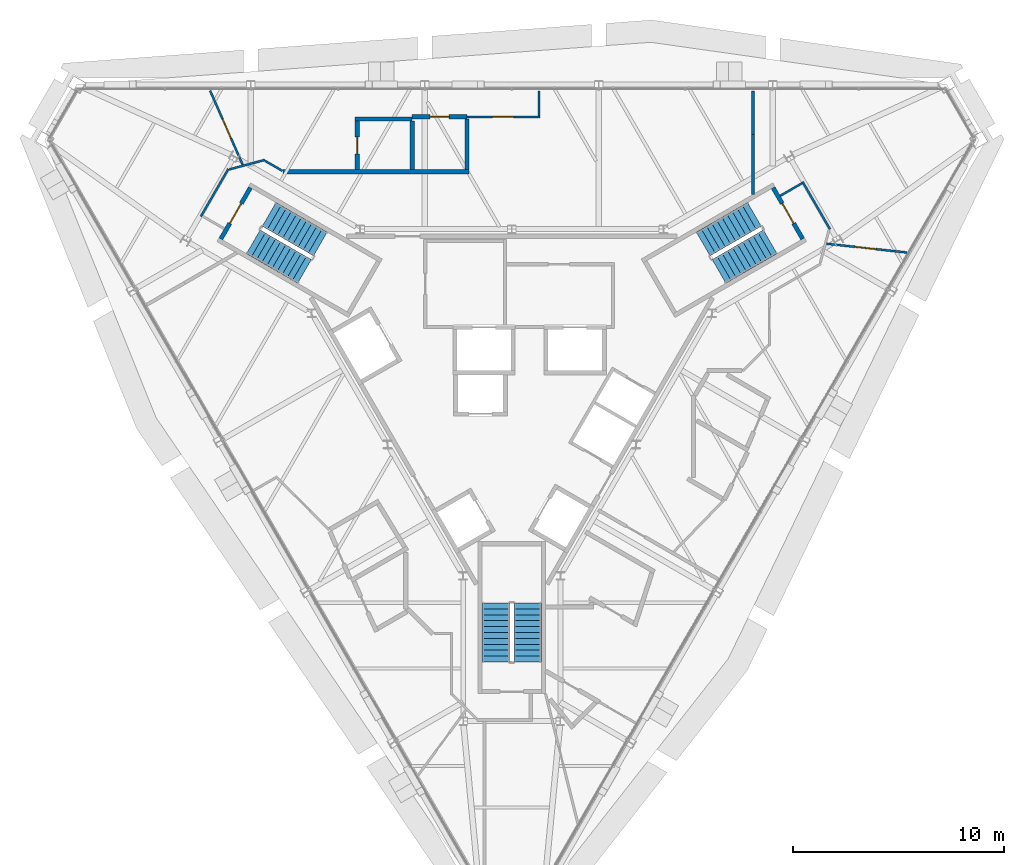
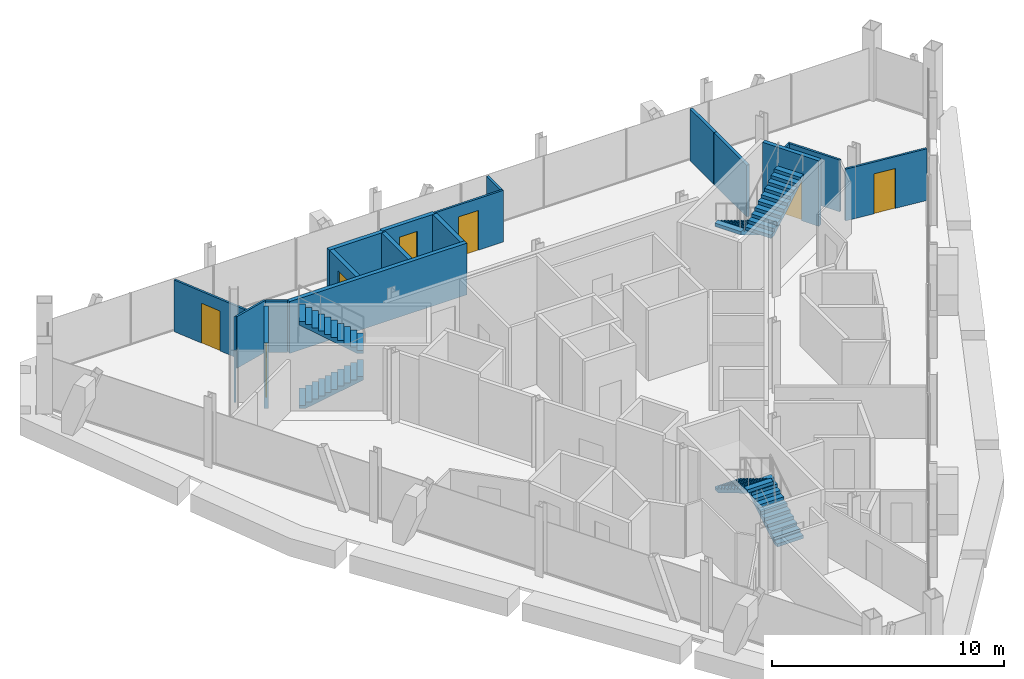
# One storey, part 10 of 11: 19 walls, 7 doors, 6 stair flights, 7 openings, 3 elements without a shape of their own.
"""IFC4 building model written with IfcOpenShell, lengths in metres."""

from ifc_helpers import new_model, si_unit, direction, frame, frame_2d, origin, place, context, subcontext, project, spatial, polyline, rectangle, outline, extrude, material, layer, layer_set, type_object, element, fill, aggregate, save


model = new_model("IFC4")

# Units and contexts
model_context = context("Model", 3, precision=1e-05, world=origin(), true_north=direction((0.0, 1.0)))
body_context = subcontext(model_context, "Body", "Model", "MODEL_VIEW")
ifc_project = project(units=[si_unit("LENGTHUNIT", "METRE"), si_unit("AREAUNIT", "SQUARE_METRE"), si_unit("VOLUMEUNIT", "CUBIC_METRE"), si_unit("PLANEANGLEUNIT", "RADIAN"), si_unit("MASSUNIT", "GRAM", prefix="KILO")], contexts=[model_context])

# Site, building, storey
site_placement = place(None, origin())
site = spatial("IfcSite", under=ifc_project, at=site_placement, CompositionType="ELEMENT")
building_placement = place(site_placement, origin())
building = spatial("IfcBuilding", under=site, at=building_placement, Name="Verrane Prism Tower", CompositionType="ELEMENT")
storey_placement = place(building_placement, frame((0.0, 0.0, 267.699951171875)))
storey = spatial("IfcBuildingStorey", under=building, at=storey_placement, Name="L67", CompositionType="ELEMENT", Elevation=267.699951171875)

# Wall, opening, door
ifc_material_1 = material(Name="Concrete C40/50", Category="concrete")
ifc_layer_1 = layer(ifc_material_1, 0.199951171875)
ifc_layer_set_1 = layer_set([ifc_layer_1], Name="CW-200 stair core wall concrete C40/50 3 h")
wall_type_1 = type_object("IfcWallType", Name="CW-200 stair core wall concrete C40/50 3 h", PredefinedType="PARTITIONING", material=ifc_layer_set_1)
wall_1_placement = place(storey_placement, frame((13.777099609375, 6.337646484375, 0.0), z_axis=(0.0, 0.0, 1.0), x_axis=(-0.500049511043, 0.865996816683, 0.0)))
wall_1 = element("IfcWall", 1, at=wall_1_placement, inside=storey, type_object=wall_type_1, Name="Stair 1 enclosure wall", PredefinedType="PARTITIONING", context=body_context, shape_type="SweptSolid", body=[
    extrude(rectangle(XDim=2.800048828125, YDim=0.199951171875, at=frame_2d((1.39990234375, 0.0))), origin(), (0.0, 0.0, 1.0), 3.449951171875),
])
opening_1_placement = place(wall_1_placement, frame((0.849853515625, 0.0, 0.0)))
opening_1 = element("IfcOpeningElement", 2, at=opening_1_placement, cuts=wall_1, Name="Opening D66500", PredefinedType="OPENING", context=body_context, shape_type="SweptSolid", body=[
    extrude(rectangle(XDim=1.10009765625, YDim=2.10009765625, at=frame_2d((0.550048828125, 1.050048828125))), frame((0.0, 0.10986328125, 0.0), z_axis=(0.0, -1.0, 0.0), x_axis=(1.0, 0.0, 0.0)), (0.0, 0.0, 1.0), 0.219970703125),
])
ifc_material_2 = material(Name="Timber veneered door leaf", Category="wood")
door_type_1 = type_object("IfcDoorType", Name="DR-1100x2100 FD90 single leaf stair", OperationType="NOTDEFINED", PredefinedType="DOOR", material=ifc_material_2)
door_1_placement = place(opening_1_placement, origin())
door_1 = element("IfcDoor", 3, at=door_1_placement, inside=storey, type_object=door_type_1, Name="Stair 1 door", OperationType="SINGLE_SWING_LEFT", OverallHeight=2.10009765625, OverallWidth=1.10009765625, PredefinedType="DOOR", context=body_context, shape_type="SweptSolid", body=[
    extrude(rectangle(XDim=1.10009765625, YDim=2.10009765625, at=frame_2d((0.550048828125, 1.050048828125))), frame((0.0, 0.02490234375, 0.0), z_axis=(0.0, -1.0, 0.0), x_axis=(1.0, 0.0, 0.0)), (0.0, 0.0, 1.0), 0.050048828125),
])
fill(opening_1, door_1)

wall_2_placement = place(storey_placement, frame((-12.376953125, 8.762451171875, 0.0), z_axis=(0.0, 0.0, 1.0), x_axis=(-0.500049511043, -0.865996816683, 0.0)))
wall_2 = element("IfcWall", 4, at=wall_2_placement, inside=storey, type_object=wall_type_1, Name="Stair 2 enclosure wall", PredefinedType="PARTITIONING", context=body_context, shape_type="SweptSolid", body=[
    extrude(rectangle(XDim=2.800048828125, YDim=0.199951171875, at=frame_2d((1.39990234375, 0.0))), origin(), (0.0, 0.0, 1.0), 3.449951171875),
])
opening_2_placement = place(wall_2_placement, frame((0.849853515625, 0.0, 0.0)))
opening_2 = element("IfcOpeningElement", 5, at=opening_2_placement, cuts=wall_2, Name="Opening D66501", PredefinedType="OPENING", context=body_context, shape_type="SweptSolid", body=[
    extrude(rectangle(XDim=1.10009765625, YDim=2.10009765625, at=frame_2d((0.550048828125, 1.050048828125))), frame((0.0, 0.10986328125, 0.0), z_axis=(0.0, -1.0, 0.0), x_axis=(1.0, 0.0, 0.0)), (0.0, 0.0, 1.0), 0.219970703125),
])
door_2_placement = place(opening_2_placement, origin())
door_2 = element("IfcDoor", 6, at=door_2_placement, inside=storey, type_object=door_type_1, Name="Stair 2 door", OperationType="SINGLE_SWING_RIGHT", OverallHeight=2.10009765625, OverallWidth=1.10009765625, PredefinedType="DOOR", context=body_context, shape_type="SweptSolid", body=[
    extrude(rectangle(XDim=1.10009765625, YDim=2.10009765625, at=frame_2d((0.550048828125, 1.050048828125))), frame((0.0, 0.02490234375, 0.0), z_axis=(0.0, -1.0, 0.0), x_axis=(1.0, 0.0, 0.0)), (0.0, 0.0, 1.0), 0.050048828125),
])
fill(opening_2, door_2)

# Wall
ifc_material_3 = material(Name="Gypsum board partition", Category="other")
ifc_layer_2 = layer(ifc_material_3, 0.10009765625)
ifc_layer_set_2 = layer_set([ifc_layer_2], Name="PW-100 room partition")
wall_type_2 = type_object("IfcWallType", Name="PW-100 room partition", PredefinedType="PARTITIONING", material=ifc_layer_set_2)
wall_3_placement = place(storey_placement, frame((-14.720947265625, 7.402587890625, 0.0), z_axis=(0.0, 0.0, 1.0), x_axis=(0.500006934395, 0.866021400173, 0.0)))
element("IfcWall", 7, at=wall_3_placement, inside=storey, type_object=wall_type_2, Name="Room partition 004", PredefinedType="PARTITIONING", context=body_context, shape_type="SweptSolid", body=[
    extrude(rectangle(XDim=2.60009765625, YDim=0.10009765625, at=frame_2d((1.300048828125, 0.0))), origin(), (0.0, 0.0, 1.0), 2.72314453125),
])

# Wall, opening, door
wall_4_placement = place(storey_placement, frame((-12.74658203125, 9.857421875, 0.0), z_axis=(0.0, 0.0, 1.0), x_axis=(-0.402509649346, 0.91541574281, 0.0)))
wall_4 = element("IfcWall", 8, at=wall_4_placement, inside=storey, type_object=wall_type_2, Name="Room partition 005", PredefinedType="PARTITIONING", context=body_context, shape_type="SweptSolid", body=[
    extrude(rectangle(XDim=3.82373046875, YDim=0.10009765625, at=frame_2d((1.911865234375, 0.0))), origin(), (0.0, 0.0, 1.0), 2.72314453125),
])
opening_3_placement = place(wall_4_placement, frame((1.357421875, 0.0, 0.0)))
opening_3 = element("IfcOpeningElement", 9, at=opening_3_placement, cuts=wall_4, Name="Opening D66012", PredefinedType="OPENING", context=body_context, shape_type="SweptSolid", body=[
    extrude(rectangle(XDim=1.0, YDim=2.10009765625, at=frame_2d((0.5, 1.050048828125))), frame((0.0, 0.06005859375, 0.0), z_axis=(0.0, -1.0, 0.0), x_axis=(1.0, 0.0, 0.0)), (0.0, 0.0, 1.0), 0.1201171875),
])
ifc_material_4 = material(Name="Timber veneered door leaf", Category="wood")
door_type_2 = type_object("IfcDoorType", Name="DR-1000x2100 single leaf inner", OperationType="NOTDEFINED", PredefinedType="DOOR", material=ifc_material_4)
door_3_placement = place(opening_3_placement, origin())
door_3 = element("IfcDoor", 10, at=door_3_placement, inside=storey, type_object=door_type_2, Name="Living And Dining Room door", OperationType="SINGLE_SWING_LEFT", OverallHeight=2.10009765625, OverallWidth=1.0, PredefinedType="DOOR", context=body_context, shape_type="SweptSolid", body=[
    extrude(rectangle(XDim=1.0, YDim=2.10009765625, at=frame_2d((0.5, 1.050048828125))), frame((0.0, 0.02490234375, 0.0), z_axis=(0.0, -1.0, 0.0), x_axis=(1.0, 0.0, 0.0)), (0.0, 0.0, 1.0), 0.050048828125),
])
fill(opening_3, door_3)

# Walls
wall_5_placement = place(storey_placement, frame((-13.37841796875, 9.629150390625, 0.0), z_axis=(0.0, 0.0, 1.0), x_axis=(0.966007272337, 0.258514892785, 0.0)))
element("IfcWall", 11, at=wall_5_placement, inside=storey, type_object=wall_type_2, Name="Room partition 006", PredefinedType="PARTITIONING", context=body_context, shape_type="SweptSolid", body=[
    extrude(rectangle(XDim=1.7470703125, YDim=0.10009765625, at=frame_2d((0.87353515625, 0.0))), origin(), (0.0, 0.0, 1.0), 2.72314453125),
])
wall_6_placement = place(storey_placement, frame((-11.678466796875, 10.032958984375, 0.0), z_axis=(0.0, 0.0, 1.0), x_axis=(0.866116627388, -0.499841962787, 0.0)))
element("IfcWall", 12, at=wall_6_placement, inside=storey, type_object=wall_type_2, Name="Room partition 008", PredefinedType="PARTITIONING", context=body_context, shape_type="SweptSolid", body=[
    extrude(rectangle(XDim=0.943115234375, YDim=0.10009765625, at=frame_2d((0.4716796875, 0.0))), origin(), (0.0, 0.0, 1.0), 2.72314453125),
])

# Wall, opening, door
wall_7_placement = place(storey_placement, frame((-2.10888671875, 12.118896484375, 0.0), z_axis=(0.0, 0.0, 1.0), x_axis=(1.0, 0.0, 0.0)))
wall_7 = element("IfcWall", 13, at=wall_7_placement, inside=storey, type_object=wall_type_2, Name="Room partition 028", PredefinedType="PARTITIONING", context=body_context, shape_type="SweptSolid", body=[
    extrude(rectangle(XDim=3.44482421875, YDim=0.10009765625, at=frame_2d((1.722412109375, 0.0))), origin(), (0.0, 0.0, 1.0), 2.72314453125),
])
opening_4_placement = place(wall_7_placement, frame((1.199951171875, 0.0, 0.0)))
opening_4 = element("IfcOpeningElement", 14, at=opening_4_placement, cuts=wall_7, Name="Opening D66010", PredefinedType="OPENING", context=body_context, shape_type="SweptSolid", body=[
    extrude(rectangle(XDim=1.0, YDim=2.10009765625, at=frame_2d((0.5, 1.050048828125))), frame((0.0, 0.06005859375, 0.0), z_axis=(0.0, -1.0, 0.0), x_axis=(1.0, 0.0, 0.0)), (0.0, 0.0, 1.0), 0.1201171875),
])
door_4_placement = place(opening_4_placement, origin())
door_4 = element("IfcDoor", 15, at=door_4_placement, inside=storey, type_object=door_type_2, Name="Entrance Foyer door", OperationType="SINGLE_SWING_RIGHT", OverallHeight=2.10009765625, OverallWidth=1.0, PredefinedType="DOOR", context=body_context, shape_type="SweptSolid", body=[
    extrude(rectangle(XDim=1.0, YDim=2.10009765625, at=frame_2d((0.5, 1.050048828125))), frame((0.0, 0.02490234375, 0.0), z_axis=(0.0, -1.0, 0.0), x_axis=(1.0, 0.0, 0.0)), (0.0, 0.0, 1.0), 0.050048828125),
])
fill(opening_4, door_4)

# Walls
wall_8_placement = place(storey_placement, frame((1.285888671875, 12.1689453125, 0.0), z_axis=(0.0, 0.0, 1.0), x_axis=(0.0, 1.0, 0.0)))
element("IfcWall", 16, at=wall_8_placement, inside=storey, type_object=wall_type_2, Name="Room partition 032", PredefinedType="PARTITIONING", context=body_context, shape_type="SweptSolid", body=[
    extrude(rectangle(XDim=1.18212890625, YDim=0.10009765625, at=frame_2d((0.591064453125, 0.0))), origin(), (0.0, 0.0, 1.0), 2.72314453125),
])
wall_9_placement = place(storey_placement, frame((12.714111328125, 8.37890625, 0.0), z_axis=(0.0, 0.0, 1.0), x_axis=(0.86585331735, 0.500297944063, 0.0)))
element("IfcWall", 17, at=wall_9_placement, inside=storey, type_object=wall_type_2, Name="Room partition 058", PredefinedType="PARTITIONING", context=body_context, shape_type="SweptSolid", body=[
    extrude(rectangle(XDim=1.199462890625, YDim=0.10009765625, at=frame_2d((0.599609375, 0.0))), origin(), (0.0, 0.0, 1.0), 2.72314453125),
])
wall_10_placement = place(storey_placement, frame((13.77099609375, 9.04736328125, 0.0), z_axis=(0.0, 0.0, 1.0), x_axis=(0.500006934395, -0.866021400173, 0.0)))
element("IfcWall", 18, at=wall_10_placement, inside=storey, type_object=wall_type_2, Name="Room partition 059", PredefinedType="PARTITIONING", context=body_context, shape_type="SweptSolid", body=[
    extrude(rectangle(XDim=2.60009765625, YDim=0.10009765625, at=frame_2d((1.300048828125, 0.0))), origin(), (0.0, 0.0, 1.0), 2.72314453125),
])

# Wall, opening, door
wall_11_placement = place(storey_placement, frame((14.910888671875, 6.110595703125, 0.0), z_axis=(0.0, 0.0, 1.0), x_axis=(0.994040808037, -0.10900858662, 0.0)))
wall_11 = element("IfcWall", 19, at=wall_11_placement, inside=storey, type_object=wall_type_2, Name="Room partition 061", PredefinedType="PARTITIONING", context=body_context, shape_type="SweptSolid", body=[
    extrude(rectangle(XDim=3.822998046875, YDim=0.10009765625, at=frame_2d((1.91162109375, 0.0))), origin(), (0.0, 0.0, 1.0), 2.72314453125),
])
opening_5_placement = place(wall_11_placement, frame((1.341796875, 0.0, 0.0)))
opening_5 = element("IfcOpeningElement", 20, at=opening_5_placement, cuts=wall_11, Name="Opening D66008", PredefinedType="OPENING", context=body_context, shape_type="SweptSolid", body=[
    extrude(rectangle(XDim=1.0, YDim=2.10009765625, at=frame_2d((0.5, 1.050048828125))), frame((0.0, 0.06005859375, 0.0), z_axis=(0.0, -1.0, 0.0), x_axis=(1.0, 0.0, 0.0)), (0.0, 0.0, 1.0), 0.1201171875),
])
door_5_placement = place(opening_5_placement, origin())
door_5 = element("IfcDoor", 21, at=door_5_placement, inside=storey, type_object=door_type_2, Name="Living And Dining Room door", OperationType="SINGLE_SWING_RIGHT", OverallHeight=2.10009765625, OverallWidth=1.0, PredefinedType="DOOR", context=body_context, shape_type="SweptSolid", body=[
    extrude(rectangle(XDim=1.0, YDim=2.10009765625, at=frame_2d((0.5, 1.050048828125))), frame((0.0, 0.02490234375, 0.0), z_axis=(0.0, -1.0, 0.0), x_axis=(1.0, 0.0, 0.0)), (0.0, 0.0, 1.0), 0.050048828125),
])
fill(opening_5, door_5)

# Walls
ifc_material_5 = material(Name="Gypsum board partition", Category="other")
ifc_layer_3 = layer(ifc_material_5, 0.14990234375)
ifc_layer_set_3 = layer_set([ifc_layer_3], Name="PW-150 demising wall 1 h")
wall_type_3 = type_object("IfcWallType", Name="PW-150 demising wall 1 h", PredefinedType="PARTITIONING", material=ifc_layer_set_3)
wall_12_placement = place(storey_placement, frame((11.430908203125, 8.447021484375, 0.0), z_axis=(0.0, 0.0, 1.0), x_axis=(0.0, 1.0, 0.0)))
element("IfcWall", 22, at=wall_12_placement, inside=storey, type_object=wall_type_3, Name="Demising wall 054", PredefinedType="PARTITIONING", context=body_context, shape_type="SweptSolid", body=[
    extrude(rectangle(XDim=2.837890625, YDim=0.14990234375, at=frame_2d((1.4189453125, 0.0))), origin(), (0.0, 0.0, 1.0), 2.72314453125),
])
wall_13_placement = place(storey_placement, frame((11.430908203125, 11.2900390625, 0.0), z_axis=(0.0, 0.0, 1.0), x_axis=(0.0, 1.0, 0.0)))
element("IfcWall", 23, at=wall_13_placement, inside=storey, type_object=wall_type_3, Name="Demising wall 055", PredefinedType="PARTITIONING", context=body_context, shape_type="SweptSolid", body=[
    extrude(rectangle(XDim=2.06103515625, YDim=0.14990234375, at=frame_2d((1.030517578125, 0.0))), origin(), (0.0, 0.0, 1.0), 2.72314453125),
])
ifc_material_6 = material(Name="Gypsum board partition", Category="other")
ifc_layer_4 = layer(ifc_material_6, 0.199951171875)
ifc_layer_set_4 = layer_set([ifc_layer_4], Name="PW-200 plumbing wall")
wall_type_4 = type_object("IfcWallType", Name="PW-200 plumbing wall", PredefinedType="PARTITIONING", material=ifc_layer_set_4)
wall_14_placement = place(storey_placement, frame((-10.837890625, 9.51904296875, 0.0), z_axis=(0.0, 0.0, 1.0), x_axis=(1.0, 0.0, 0.0)))
element("IfcWall", 24, at=wall_14_placement, inside=storey, type_object=wall_type_4, Name="Plumbing wall 010", PredefinedType="PARTITIONING", context=body_context, shape_type="SweptSolid", body=[
    extrude(rectangle(XDim=8.823974609375, YDim=0.199951171875, at=frame_2d((4.412109375, 0.0))), origin(), (0.0, 0.0, 1.0), 2.72314453125),
])

# Wall, opening, door
wall_15_placement = place(storey_placement, frame((-7.31396484375, 11.9189453125, 0.0), z_axis=(0.0, 0.0, 1.0), x_axis=(0.0, -1.0, 0.0)))
wall_15 = element("IfcWall", 25, at=wall_15_placement, inside=storey, type_object=wall_type_4, Name="Plumbing wall 015", PredefinedType="PARTITIONING", context=body_context, shape_type="SweptSolid", body=[
    extrude(rectangle(XDim=2.300048828125, YDim=0.199951171875, at=frame_2d((1.14990234375, 0.0))), origin(), (0.0, 0.0, 1.0), 2.72314453125),
])
opening_6_placement = place(wall_15_placement, frame((0.75, 0.0, 0.0)))
opening_6 = element("IfcOpeningElement", 26, at=opening_6_placement, cuts=wall_15, Name="Opening D66013", PredefinedType="OPENING", context=body_context, shape_type="SweptSolid", body=[
    extrude(rectangle(XDim=0.800048828125, YDim=2.10009765625, at=frame_2d((0.39990234375, 1.050048828125))), frame((0.0, 0.10986328125, 0.0), z_axis=(0.0, -1.0, 0.0), x_axis=(1.0, 0.0, 0.0)), (0.0, 0.0, 1.0), 0.219970703125),
])
ifc_material_7 = material(Name="Timber veneered door leaf", Category="wood")
door_type_3 = type_object("IfcDoorType", Name="DR-800x2100 single leaf inner", OperationType="NOTDEFINED", PredefinedType="DOOR", material=ifc_material_7)
door_6_placement = place(opening_6_placement, origin())
door_6 = element("IfcDoor", 27, at=door_6_placement, inside=storey, type_object=door_type_3, Name="Bathroom door", OperationType="SINGLE_SWING_RIGHT", OverallHeight=2.10009765625, OverallWidth=0.800048828125, PredefinedType="DOOR", context=body_context, shape_type="SweptSolid", body=[
    extrude(rectangle(XDim=0.800048828125, YDim=2.10009765625, at=frame_2d((0.39990234375, 1.050048828125))), frame((0.0, 0.02490234375, 0.0), z_axis=(0.0, -1.0, 0.0), x_axis=(1.0, 0.0, 0.0)), (0.0, 0.0, 1.0), 0.050048828125),
])
fill(opening_6, door_6)

# Walls
wall_16_placement = place(storey_placement, frame((-7.4140625, 12.01904296875, 0.0), z_axis=(0.0, 0.0, 1.0), x_axis=(1.0, 0.0, 0.0)))
element("IfcWall", 28, at=wall_16_placement, inside=storey, type_object=wall_type_4, Name="Plumbing wall 016", PredefinedType="PARTITIONING", context=body_context, shape_type="SweptSolid", body=[
    extrude(rectangle(XDim=2.699951171875, YDim=0.199951171875, at=frame_2d((1.35009765625, 0.0))), origin(), (0.0, 0.0, 1.0), 2.72314453125),
])
wall_17_placement = place(storey_placement, frame((-4.714111328125, 9.618896484375, 0.0), z_axis=(0.0, 0.0, 1.0), x_axis=(0.0, 1.0, 0.0)))
element("IfcWall", 29, at=wall_17_placement, inside=storey, type_object=wall_type_4, Name="Plumbing wall 021", PredefinedType="PARTITIONING", context=body_context, shape_type="SweptSolid", body=[
    extrude(rectangle(XDim=2.300048828125, YDim=0.199951171875, at=frame_2d((1.14990234375, 0.0))), origin(), (0.0, 0.0, 1.0), 2.72314453125),
])

# Wall, opening, door
wall_18_placement = place(storey_placement, frame((-2.10888671875, 12.118896484375, 0.0), z_axis=(0.0, 0.0, 1.0), x_axis=(-1.0, 0.0, 0.0)))
wall_18 = element("IfcWall", 30, at=wall_18_placement, inside=storey, type_object=wall_type_4, Name="Plumbing wall 022", PredefinedType="PARTITIONING", context=body_context, shape_type="SweptSolid", body=[
    extrude(rectangle(XDim=2.605224609375, YDim=0.199951171875, at=frame_2d((1.302734375, 0.0))), origin(), (0.0, 0.0, 1.0), 2.72314453125),
])
opening_7_placement = place(wall_18_placement, frame((0.85498046875, 0.0, 0.0)))
opening_7 = element("IfcOpeningElement", 31, at=opening_7_placement, cuts=wall_18, Name="Opening D66011", PredefinedType="OPENING", context=body_context, shape_type="SweptSolid", body=[
    extrude(rectangle(XDim=0.89990234375, YDim=2.10009765625, at=frame_2d((0.449951171875, 1.050048828125))), frame((0.0, 0.10986328125, 0.0), z_axis=(0.0, -1.0, 0.0), x_axis=(1.0, 0.0, 0.0)), (0.0, 0.0, 1.0), 0.219970703125),
])
ifc_material_8 = material(Name="Timber veneered door leaf", Category="wood")
door_type_4 = type_object("IfcDoorType", Name="DR-900x2100 single leaf inner", OperationType="NOTDEFINED", PredefinedType="DOOR", material=ifc_material_8)
door_7_placement = place(opening_7_placement, origin())
door_7 = element("IfcDoor", 32, at=door_7_placement, inside=storey, type_object=door_type_4, Name="Kitchen door", OperationType="SINGLE_SWING_RIGHT", OverallHeight=2.10009765625, OverallWidth=0.89990234375, PredefinedType="DOOR", context=body_context, shape_type="SweptSolid", body=[
    extrude(rectangle(XDim=0.89990234375, YDim=2.10009765625, at=frame_2d((0.449951171875, 1.050048828125))), frame((0.0, 0.02490234375, 0.0), z_axis=(0.0, -1.0, 0.0), x_axis=(1.0, 0.0, 0.0)), (0.0, 0.0, 1.0), 0.050048828125),
])
fill(opening_7, door_7)

# Wall
wall_19_placement = place(storey_placement, frame((-2.114013671875, 9.618896484375, 0.0), z_axis=(0.0, 0.0, 1.0), x_axis=(0.0, 1.0, 0.0)))
element("IfcWall", 33, at=wall_19_placement, inside=storey, type_object=wall_type_4, Name="Plumbing wall 027", PredefinedType="PARTITIONING", context=body_context, shape_type="SweptSolid", body=[
    extrude(rectangle(XDim=2.400146484375, YDim=0.199951171875, at=frame_2d((1.2001953125, 0.0))), origin(), (0.0, 0.0, 1.0), 2.72314453125),
])

# Stair, stair flights
ifc_material_9 = material(Name="Concrete C40/50", Category="concrete")
stair_type = type_object("IfcStairType", Name="Exit stair 1300 dog-leg precast concrete C40/50", PredefinedType="HALF_TURN_STAIR", material=ifc_material_9)
stair_1_placement = place(storey_placement, origin())
stair_1 = element("IfcStair", 34, at=stair_1_placement, inside=storey, type_object=stair_type, Name="Stair 1 L67", PredefinedType="HALF_TURN_STAIR")
ifc_material_10 = material(Name="Concrete C40/50", Category="concrete")
stair_flight_type = type_object("IfcStairFlightType", Name="Stair flight 1300 precast concrete C40/50", PredefinedType="STRAIGHT", material=ifc_material_10)
stair_flight_1_placement = place(storey_placement, frame((11.489501953125, 7.49951171875, 0.0), z_axis=(0.0, 0.0, 1.0), x_axis=(-0.866025403784, -0.5, 0.0)))
stair_flight_1 = element("IfcStairFlight", 35, at=stair_flight_1_placement, type_object=stair_flight_type, Name="Stair 1 flight 1", NumberOfRisers=11, NumberOfTreads=10, PredefinedType="STRAIGHT", RiserHeight=0.168181818, TreadLength=0.28, context=body_context, shape_type="SweptSolid", body=[
    extrude(outline(polyline([(0.0, 0.0), (0.0, 0.168212890625), (0.280029296875, 0.168212890625), (0.280029296875, 0.33642578125), (0.56005859375, 0.33642578125), (0.56005859375, 0.504638671875), (0.840087890625, 0.504638671875), (0.840087890625, 0.672607421875), (1.1201171875, 0.672607421875), (1.1201171875, 0.8408203125), (1.39990234375, 0.8408203125), (1.39990234375, 1.009033203125), (1.679931640625, 1.009033203125), (1.679931640625, 1.17724609375), (1.9599609375, 1.17724609375), (1.9599609375, 1.345458984375), (2.239990234375, 1.345458984375), (2.239990234375, 1.513671875), (2.52001953125, 1.513671875), (2.52001953125, 1.681884765625), (2.800048828125, 1.681884765625), (2.800048828125, 1.85009765625), (2.800048828125, 1.5068359375), (0.291015625, 0.0), (0.0, 0.0)])), frame((0.0, 0.64990234375, 0.0), z_axis=(0.0, -1.0, 0.0), x_axis=(1.0, 0.0, 0.0)), (0.0, 0.0, 1.0), 1.300048828125),
])
stair_flight_2_placement = place(storey_placement, frame((9.814697265625, 4.800537109375, 1.85009765625), z_axis=(0.0, 0.0, 1.0), x_axis=(0.866025403784, 0.5, 0.0)))
stair_flight_2 = element("IfcStairFlight", 36, at=stair_flight_2_placement, type_object=stair_flight_type, Name="Stair 1 flight 2", NumberOfRisers=11, NumberOfTreads=10, PredefinedType="STRAIGHT", RiserHeight=0.168181818, TreadLength=0.28, context=body_context, shape_type="SweptSolid", body=[
    extrude(outline(polyline([(0.0, 0.0), (0.0, 0.168212890625), (0.280029296875, 0.168212890625), (0.280029296875, 0.33642578125), (0.56005859375, 0.33642578125), (0.56005859375, 0.504638671875), (0.840087890625, 0.504638671875), (0.840087890625, 0.672607421875), (1.1201171875, 0.672607421875), (1.1201171875, 0.8408203125), (1.39990234375, 0.8408203125), (1.39990234375, 1.009033203125), (1.679931640625, 1.009033203125), (1.679931640625, 1.17724609375), (1.9599609375, 1.17724609375), (1.9599609375, 1.345458984375), (2.239990234375, 1.345458984375), (2.239990234375, 1.513671875), (2.52001953125, 1.513671875), (2.52001953125, 1.681884765625), (2.800048828125, 1.681884765625), (2.800048828125, 1.85009765625), (2.800048828125, 1.5068359375), (0.291015625, 0.0), (0.0, 0.0)])), frame((0.0, 0.64990234375, 0.0), z_axis=(0.0, -1.0, 0.0), x_axis=(1.0, 0.0, 0.0)), (0.0, 0.0, 1.0), 1.300048828125),
])
aggregate(stair_1, [stair_flight_1, stair_flight_2])

stair_2_placement = place(storey_placement, origin())
stair_2 = element("IfcStair", 37, at=stair_2_placement, inside=storey, type_object=stair_type, Name="Stair 2 L67", PredefinedType="HALF_TURN_STAIR")
stair_flight_3_placement = place(storey_placement, frame((-12.239501953125, 6.200439453125, 0.0), z_axis=(0.0, 0.0, 1.0), x_axis=(0.866025403784, -0.5, 0.0)))
stair_flight_3 = element("IfcStairFlight", 38, at=stair_flight_3_placement, type_object=stair_flight_type, Name="Stair 2 flight 1", NumberOfRisers=11, NumberOfTreads=10, PredefinedType="STRAIGHT", RiserHeight=0.168181818, TreadLength=0.28, context=body_context, shape_type="SweptSolid", body=[
    extrude(outline(polyline([(0.0, 0.0), (0.0, 0.168212890625), (0.280029296875, 0.168212890625), (0.280029296875, 0.33642578125), (0.56005859375, 0.33642578125), (0.56005859375, 0.504638671875), (0.840087890625, 0.504638671875), (0.840087890625, 0.672607421875), (1.1201171875, 0.672607421875), (1.1201171875, 0.8408203125), (1.39990234375, 0.8408203125), (1.39990234375, 1.009033203125), (1.679931640625, 1.009033203125), (1.679931640625, 1.17724609375), (1.9599609375, 1.17724609375), (1.9599609375, 1.345458984375), (2.239990234375, 1.345458984375), (2.239990234375, 1.513671875), (2.52001953125, 1.513671875), (2.52001953125, 1.681884765625), (2.800048828125, 1.681884765625), (2.800048828125, 1.85009765625), (2.800048828125, 1.5068359375), (0.291015625, 0.0), (0.0, 0.0)])), frame((0.0, 0.64990234375, 0.0), z_axis=(0.0, -1.0, 0.0), x_axis=(1.0, 0.0, 0.0)), (0.0, 0.0, 1.0), 1.300048828125),
])
stair_flight_4_placement = place(storey_placement, frame((-9.064697265625, 6.099609375, 1.85009765625), z_axis=(0.0, 0.0, 1.0), x_axis=(-0.866025403784, 0.5, 0.0)))
stair_flight_4 = element("IfcStairFlight", 39, at=stair_flight_4_placement, type_object=stair_flight_type, Name="Stair 2 flight 2", NumberOfRisers=11, NumberOfTreads=10, PredefinedType="STRAIGHT", RiserHeight=0.168181818, TreadLength=0.28, context=body_context, shape_type="SweptSolid", body=[
    extrude(outline(polyline([(0.0, 0.0), (0.0, 0.168212890625), (0.280029296875, 0.168212890625), (0.280029296875, 0.33642578125), (0.56005859375, 0.33642578125), (0.56005859375, 0.504638671875), (0.840087890625, 0.504638671875), (0.840087890625, 0.672607421875), (1.1201171875, 0.672607421875), (1.1201171875, 0.8408203125), (1.39990234375, 0.8408203125), (1.39990234375, 1.009033203125), (1.679931640625, 1.009033203125), (1.679931640625, 1.17724609375), (1.9599609375, 1.17724609375), (1.9599609375, 1.345458984375), (2.239990234375, 1.345458984375), (2.239990234375, 1.513671875), (2.52001953125, 1.513671875), (2.52001953125, 1.681884765625), (2.800048828125, 1.681884765625), (2.800048828125, 1.85009765625), (2.800048828125, 1.5068359375), (0.291015625, 0.0), (0.0, 0.0)])), frame((0.0, 0.64990234375, 0.0), z_axis=(0.0, -1.0, 0.0), x_axis=(1.0, 0.0, 0.0)), (0.0, 0.0, 1.0), 1.300048828125),
])
aggregate(stair_2, [stair_flight_3, stair_flight_4])

stair_3_placement = place(storey_placement, origin())
stair_3 = element("IfcStair", 40, at=stair_3_placement, inside=storey, type_object=stair_type, Name="Stair 3 L67", PredefinedType="HALF_TURN_STAIR")
stair_flight_5_placement = place(storey_placement, frame((0.75, -13.699951171875, 0.0), z_axis=(0.0, 0.0, 1.0), x_axis=(0.0, 1.0, 0.0)))
stair_flight_5 = element("IfcStairFlight", 41, at=stair_flight_5_placement, type_object=stair_flight_type, Name="Stair 3 flight 1", NumberOfRisers=11, NumberOfTreads=10, PredefinedType="STRAIGHT", RiserHeight=0.168181818, TreadLength=0.28, context=body_context, shape_type="SweptSolid", body=[
    extrude(outline(polyline([(0.0, 0.0), (0.0, 0.168212890625), (0.280029296875, 0.168212890625), (0.280029296875, 0.33642578125), (0.56005859375, 0.33642578125), (0.56005859375, 0.504638671875), (0.840087890625, 0.504638671875), (0.840087890625, 0.672607421875), (1.1201171875, 0.672607421875), (1.1201171875, 0.8408203125), (1.39990234375, 0.8408203125), (1.39990234375, 1.009033203125), (1.679931640625, 1.009033203125), (1.679931640625, 1.17724609375), (1.9599609375, 1.17724609375), (1.9599609375, 1.345458984375), (2.239990234375, 1.345458984375), (2.239990234375, 1.513671875), (2.52001953125, 1.513671875), (2.52001953125, 1.681884765625), (2.800048828125, 1.681884765625), (2.800048828125, 1.85009765625), (2.800048828125, 1.5068359375), (0.291015625, 0.0), (0.0, 0.0)])), frame((0.0, 0.64990234375, 0.0), z_axis=(0.0, -1.0, 0.0), x_axis=(1.0, 0.0, 0.0)), (0.0, 0.0, 1.0), 1.300048828125),
])
stair_flight_6_placement = place(storey_placement, frame((-0.75, -10.89990234375, 1.85009765625), z_axis=(0.0, 0.0, 1.0), x_axis=(0.0, -1.0, 0.0)))
stair_flight_6 = element("IfcStairFlight", 42, at=stair_flight_6_placement, type_object=stair_flight_type, Name="Stair 3 flight 2", NumberOfRisers=11, NumberOfTreads=10, PredefinedType="STRAIGHT", RiserHeight=0.168181818, TreadLength=0.28, context=body_context, shape_type="SweptSolid", body=[
    extrude(outline(polyline([(0.0, 0.0), (0.0, 0.168212890625), (0.280029296875, 0.168212890625), (0.280029296875, 0.33642578125), (0.56005859375, 0.33642578125), (0.56005859375, 0.504638671875), (0.840087890625, 0.504638671875), (0.840087890625, 0.672607421875), (1.1201171875, 0.672607421875), (1.1201171875, 0.8408203125), (1.39990234375, 0.8408203125), (1.39990234375, 1.009033203125), (1.679931640625, 1.009033203125), (1.679931640625, 1.17724609375), (1.9599609375, 1.17724609375), (1.9599609375, 1.345458984375), (2.239990234375, 1.345458984375), (2.239990234375, 1.513671875), (2.52001953125, 1.513671875), (2.52001953125, 1.681884765625), (2.800048828125, 1.681884765625), (2.800048828125, 1.85009765625), (2.800048828125, 1.5068359375), (0.291015625, 0.0), (0.0, 0.0)])), frame((0.0, 0.64990234375, 0.0), z_axis=(0.0, -1.0, 0.0), x_axis=(1.0, 0.0, 0.0)), (0.0, 0.0, 1.0), 1.300048828125),
])
aggregate(stair_3, [stair_flight_5, stair_flight_6])

save(model, "model.ifc")
